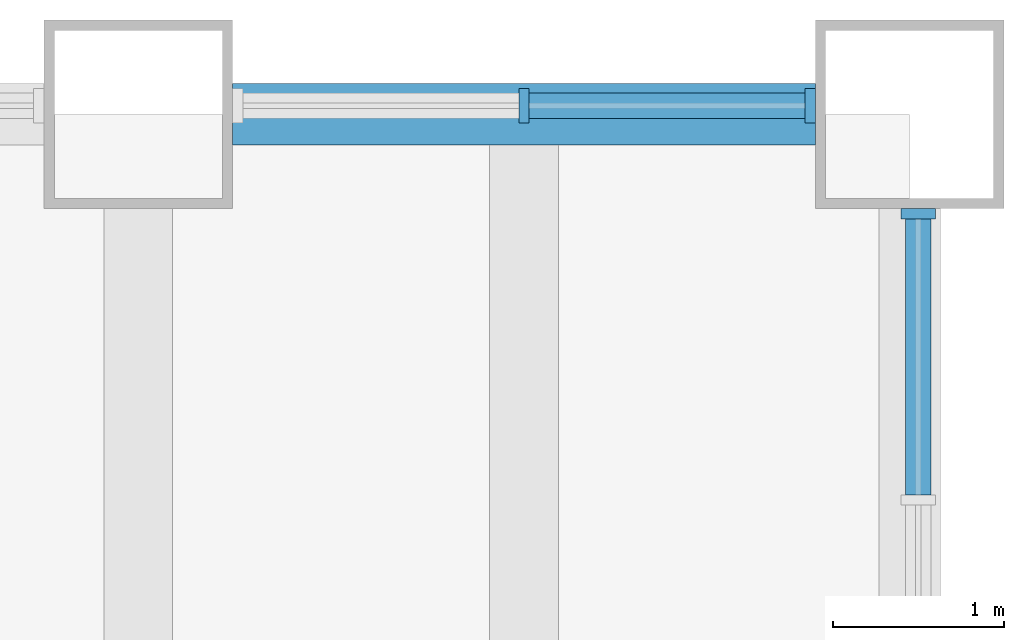
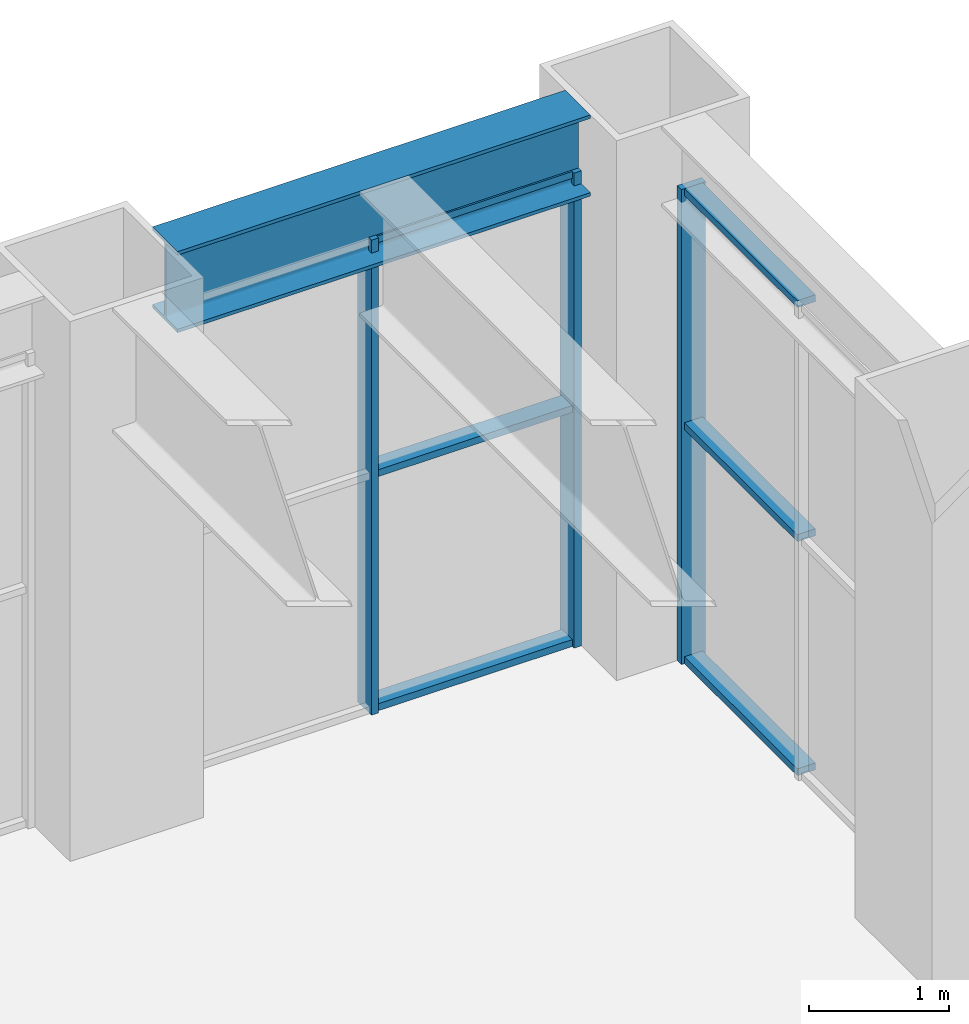
# One storey, part 7 of 21: 9 members, 1 beam, 2 elements without a shape of their own.
"""IFC4 building model written with IfcOpenShell, lengths in metres."""

from ifc_helpers import new_model, si_unit, direction, frame, origin, origin_2d, place, context, subcontext, project, spatial, rectangle, i_section, extrude, material, material_profile, profile_set, type_object, element, aggregate, save


model = new_model("IFC4")

# Units and contexts
model_context = context("Model", 3, precision=1e-05, world=origin(), true_north=direction((0.0, 1.0)))
body_context = subcontext(model_context, "Body", "Model", "MODEL_VIEW")
ifc_project = project(units=[si_unit("LENGTHUNIT", "METRE"), si_unit("AREAUNIT", "SQUARE_METRE"), si_unit("VOLUMEUNIT", "CUBIC_METRE"), si_unit("PLANEANGLEUNIT", "RADIAN"), si_unit("MASSUNIT", "GRAM", prefix="KILO")], contexts=[model_context])

# Site, building, storey
site_placement = place(None, origin())
site = spatial("IfcSite", under=ifc_project, at=site_placement, CompositionType="ELEMENT")
building_placement = place(site_placement, origin())
building = spatial("IfcBuilding", under=site, at=building_placement, Name="Sennacour Bend Tower", CompositionType="ELEMENT")
storey_placement = place(building_placement, frame((0.0, 0.0, 24.0)))
storey = spatial("IfcBuildingStorey", under=building, at=storey_placement, Name="L04", CompositionType="ELEMENT", Elevation=24.0)

# Curtain wall, member
ifc_material_1 = material(Name="Bronze anodised aluminium curtain wall with clear glass", Category="aluminium")
curtain_wall_type = type_object("IfcCurtainWallType", Name="CURTAIN WALL NOTCH", PredefinedType="NOTDEFINED", material=ifc_material_1)
curtain_wall_1_placement = place(storey_placement, origin())
curtain_wall_1 = element("IfcCurtainWall", 1, at=curtain_wall_1_placement, inside=storey, type_object=curtain_wall_type, Name="Podium glass wall L04", PredefinedType="NOTDEFINED")
ifc_material_2 = material(Name="Aluminium 6063-T6", Category="aluminium")
ifc_material_profile_1 = material_profile(ifc_material_2, rectangle(XDim=0.199951171875, YDim=0.06005859375, at=origin_2d()), Name="Aluminium 6063-T6", Category="aluminium")
ifc_profile_set_1 = profile_set([ifc_material_profile_1], Name="Aluminium 6063-T6")
member_type_1 = type_object("IfcMemberType", Name="CW-MULLION-200X60", PredefinedType="MULLION", material=ifc_profile_set_1)
member_1_placement = place(storey_placement, frame((67.550048828125, 48.919921875, 0.0), z_axis=(0.0, 0.0, 1.0), x_axis=(-1.0, 0.0, 0.0)))
member_1 = element("IfcMember", 2, at=member_1_placement, type_object=member_type_1, Name="GW2 curtain wall mullion 3", PredefinedType="MULLION", context=body_context, shape_type="SweptSolid", body=[
    extrude(rectangle(XDim=0.199951171875, YDim=0.06005859375, at=origin_2d()), origin(), (0.0, 0.0, 1.0), 4.135986328125),
])

# Curtain wall, members
curtain_wall_2_placement = place(storey_placement, origin())
curtain_wall_2 = element("IfcCurtainWall", 3, at=curtain_wall_2_placement, inside=storey, type_object=curtain_wall_type, Name="Podium glass wall L04", PredefinedType="NOTDEFINED")
member_2_placement = place(storey_placement, frame((66.919921875, 49.550048828125, 0.0), z_axis=(0.0, 0.0, 1.0), x_axis=(0.0, -1.0, 0.0)))
member_2 = element("IfcMember", 4, at=member_2_placement, type_object=member_type_1, Name="GW2 curtain wall mullion 1", PredefinedType="MULLION", context=body_context, shape_type="SweptSolid", body=[
    extrude(rectangle(XDim=0.199951171875, YDim=0.06005859375, at=origin_2d()), origin(), (0.0, 0.0, 1.0), 4.135986328125),
])
member_3_placement = place(storey_placement, frame((65.25, 49.550048828125, 0.0), z_axis=(0.0, 0.0, 1.0), x_axis=(0.0, -1.0, 0.0)))
member_3 = element("IfcMember", 5, at=member_3_placement, type_object=member_type_1, Name="GW2 curtain wall mullion 2", PredefinedType="MULLION", context=body_context, shape_type="SweptSolid", body=[
    extrude(rectangle(XDim=0.199951171875, YDim=0.06005859375, at=origin_2d()), origin(), (0.0, 0.0, 1.0), 4.135986328125),
])

# Member
ifc_material_profile_2 = material_profile(ifc_material_2, rectangle(XDim=0.14990234375, YDim=0.06005859375, at=origin_2d()), Name="Aluminium 6063-T6", Category="aluminium")
ifc_profile_set_2 = profile_set([ifc_material_profile_2], Name="Aluminium 6063-T6")
member_type_2 = type_object("IfcMemberType", Name="CW-TRANSOM-150X60", PredefinedType="USERDEFINED", material=ifc_profile_set_2)
member_4_placement = place(storey_placement, frame((67.550048828125, 47.280029296875, 0.030029296875), z_axis=(0.0, 1.0, 0.0), x_axis=(-1.0, 0.0, 0.0)))
member_4 = element("IfcMember", 6, at=member_4_placement, type_object=member_type_2, Name="GW2 curtain wall transom 2.1", ObjectType="TRANSOM", PredefinedType="USERDEFINED", context=body_context, shape_type="SweptSolid", body=[
    extrude(rectangle(XDim=0.14990234375, YDim=0.06005859375, at=origin_2d()), origin(), (0.0, 0.0, 1.0), 1.60986328125),
])

member_5_placement = place(storey_placement, frame((67.550048828125, 47.280029296875, 2.068115234375), z_axis=(0.0, 1.0, 0.0), x_axis=(-1.0, 0.0, 0.0)))
member_5 = element("IfcMember", 7, at=member_5_placement, type_object=member_type_2, Name="GW2 curtain wall transom 2.2", ObjectType="TRANSOM", PredefinedType="USERDEFINED", context=body_context, shape_type="SweptSolid", body=[
    extrude(rectangle(XDim=0.14990234375, YDim=0.06005859375, at=origin_2d()), origin(), (0.0, 0.0, 1.0), 1.60986328125),
])

member_6_placement = place(storey_placement, frame((67.550048828125, 47.280029296875, 4.10595703125), z_axis=(0.0, 1.0, 0.0), x_axis=(-1.0, 0.0, 0.0)))
member_6 = element("IfcMember", 8, at=member_6_placement, type_object=member_type_2, Name="GW2 curtain wall transom 2.3", ObjectType="TRANSOM", PredefinedType="USERDEFINED", context=body_context, shape_type="SweptSolid", body=[
    extrude(rectangle(XDim=0.14990234375, YDim=0.06005859375, at=origin_2d()), origin(), (0.0, 0.0, 1.0), 1.60986328125),
])

aggregate(curtain_wall_1, [member_1, member_4, member_5, member_6])

member_7_placement = place(storey_placement, frame((66.889892578125, 49.550048828125, 0.030029296875), z_axis=(-1.0, 0.0, 0.0), x_axis=(0.0, -1.0, 0.0)))
member_7 = element("IfcMember", 9, at=member_7_placement, type_object=member_type_2, Name="GW2 curtain wall transom 1.1", ObjectType="TRANSOM", PredefinedType="USERDEFINED", context=body_context, shape_type="SweptSolid", body=[
    extrude(rectangle(XDim=0.14990234375, YDim=0.06005859375, at=origin_2d()), origin(), (0.0, 0.0, 1.0), 1.60986328125),
])

member_8_placement = place(storey_placement, frame((66.889892578125, 49.550048828125, 2.068115234375), z_axis=(-1.0, 0.0, 0.0), x_axis=(0.0, -1.0, 0.0)))
member_8 = element("IfcMember", 10, at=member_8_placement, type_object=member_type_2, Name="GW2 curtain wall transom 1.2", ObjectType="TRANSOM", PredefinedType="USERDEFINED", context=body_context, shape_type="SweptSolid", body=[
    extrude(rectangle(XDim=0.14990234375, YDim=0.06005859375, at=origin_2d()), origin(), (0.0, 0.0, 1.0), 1.60986328125),
])

member_9_placement = place(storey_placement, frame((66.889892578125, 49.550048828125, 4.10595703125), z_axis=(-1.0, 0.0, 0.0), x_axis=(0.0, -1.0, 0.0)))
member_9 = element("IfcMember", 11, at=member_9_placement, type_object=member_type_2, Name="GW2 curtain wall transom 1.3", ObjectType="TRANSOM", PredefinedType="USERDEFINED", context=body_context, shape_type="SweptSolid", body=[
    extrude(rectangle(XDim=0.14990234375, YDim=0.06005859375, at=origin_2d()), origin(), (0.0, 0.0, 1.0), 1.60986328125),
])

aggregate(curtain_wall_2, [member_2, member_3, member_7, member_8, member_9])

# Beam
ifc_material_3 = material(Name="Steel ASTM A992 Grade 50", Category="steel")
ifc_material_profile_3 = material_profile(ifc_material_3, i_section(OverallWidth=0.35791015625, OverallDepth=0.7060546875, WebThickness=0.018310546875, FlangeThickness=0.0302734375, FilletRadius=0.02001953125, at=origin_2d()), Name="Steel ASTM A992 Grade 50", Category="steel")
ifc_profile_set_3 = profile_set([ifc_material_profile_3], Name="Steel ASTM A992 Grade 50")
beam_type = type_object("IfcBeamType", Name="Spandrel beam W690X265", PredefinedType="SPANDREL", material=ifc_profile_set_3)
beam_placement = place(storey_placement, frame((63.550048828125, 49.5, 4.346923828125), z_axis=(1.0, 0.0, 0.0), x_axis=(0.0, 1.0, 0.0)))
element("IfcBeam", 12, at=beam_placement, inside=storey, type_object=beam_type, Name="Spandrel beam SP2 L05-038", PredefinedType="SPANDREL", context=body_context, shape_type="SweptSolid", body=[
    extrude(i_section(OverallWidth=0.35791015625, OverallDepth=0.7060546875, WebThickness=0.018310546875, FlangeThickness=0.0302734375, FilletRadius=0.02001953125, at=origin_2d()), origin(), (0.0, 0.0, 1.0), 3.39990234375),
])

save(model, "model.ifc")
